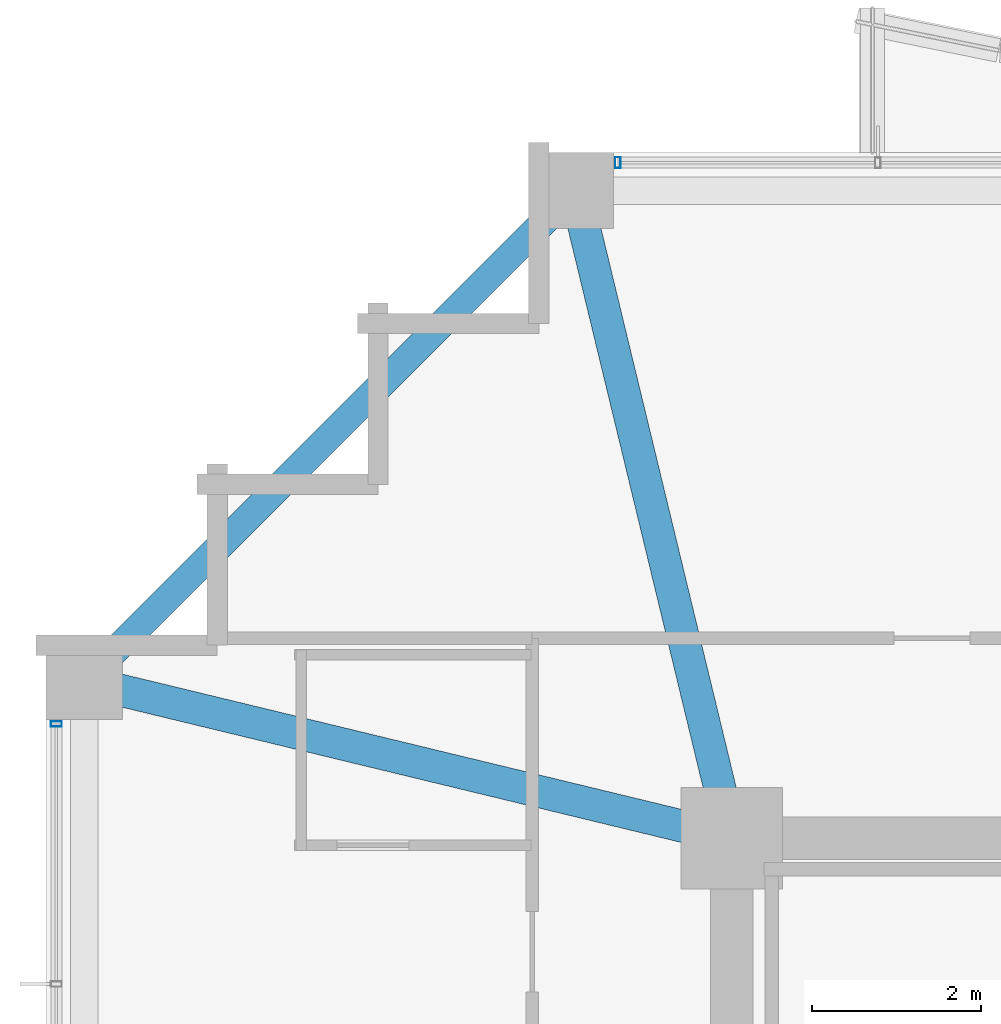
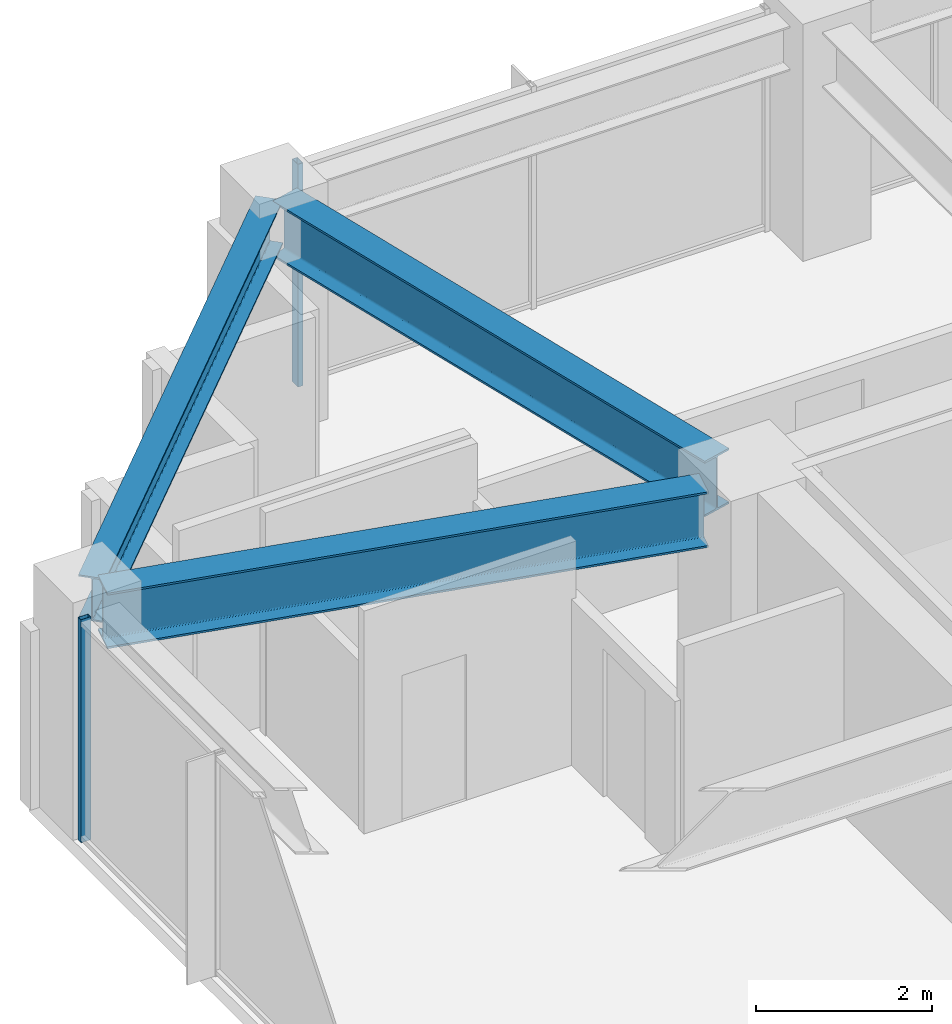
# One storey, part 16 of 31: 3 beams, 2 members, 2 elements without a shape of their own.
"""IFC4 building model written with IfcOpenShell, lengths in metres."""

from ifc_helpers import new_model, si_unit, direction, frame, origin, origin_2d, place, context, subcontext, project, spatial, hollow_rectangle, i_section, extrude, material, material_profile, profile_set, type_object, element, aggregate, save


model = new_model("IFC4")

# Units and contexts
model_context = context("Model", 3, precision=1e-05, world=origin(), true_north=direction((0.0, 1.0)))
body_context = subcontext(model_context, "Body", "Model", "MODEL_VIEW")
ifc_project = project(units=[si_unit("LENGTHUNIT", "METRE"), si_unit("AREAUNIT", "SQUARE_METRE"), si_unit("VOLUMEUNIT", "CUBIC_METRE"), si_unit("PLANEANGLEUNIT", "RADIAN"), si_unit("MASSUNIT", "GRAM", prefix="KILO")], contexts=[model_context])

# Site, building, storey
site_placement = place(None, origin())
site = spatial("IfcSite", under=ifc_project, at=site_placement, CompositionType="ELEMENT")
building_placement = place(site_placement, origin())
building = spatial("IfcBuilding", under=site, at=building_placement, Name="Kolvaren Belvedere", CompositionType="ELEMENT")
storey_placement = place(building_placement, frame((0.0, 0.0, 138.199951171875)))
storey = spatial("IfcBuildingStorey", under=building, at=storey_placement, Name="L40", CompositionType="ELEMENT", Elevation=138.199951171875)

# Beams
ifc_material_1 = material(Name="Structural steel ASTM A992 Grade 50", Category="steel")
ifc_material_profile_1 = material_profile(ifc_material_1, i_section(OverallWidth=0.381103515625, OverallDepth=0.77294921875, WebThickness=0.0166015625, FlangeThickness=0.027099609375, FilletRadius=0.02392578125, at=origin_2d()), Name="W30X173")
ifc_profile_set_1 = profile_set([ifc_material_profile_1], Name="Structural steel ASTM A992 Grade 50")
beam_type_1 = type_object("IfcBeamType", Name="BM-GIRD-W30X173", PredefinedType="BEAM", material=ifc_profile_set_1)
for number, where, z_axis, x_axis, name in (
    (1, (-10.029296875, 10.4345703125, 2.713623046875), (-0.235062749937, 0.971980197119, 0.0), (-0.971980197119, -0.235062749937, 0.0), "L40 Corner Core-to-Perimeter Girder CC4-N1"),
    (2, (-10.4345703125, 10.029296875, 2.713623046875), (-0.971980197119, 0.235062749937, 0.0), (-0.235062749937, -0.971980197119, 0.0), "L40 Corner Core-to-Perimeter Girder CC4-W4"),
):
    element("IfcBeam", number, at=place(storey_placement, frame(where, z_axis=z_axis, x_axis=x_axis)), inside=storey, type_object=beam_type_1, Name=name, PredefinedType="BEAM", context=body_context, shape_type="SweptSolid", body=[
        extrude(i_section(OverallWidth=0.381103515625, OverallDepth=0.77294921875, WebThickness=0.0166015625, FlangeThickness=0.027099609375, FilletRadius=0.02392578125, at=origin_2d()), origin(), (0.0, 0.0, 1.0), 7.140625),
    ])
ifc_material_2 = material(Name="Structural steel ASTM A992 Grade 50", Category="steel")
ifc_material_profile_2 = material_profile(ifc_material_2, i_section(OverallWidth=0.324951171875, OverallDepth=0.615966796875, WebThickness=0.013916015625, FlangeThickness=0.021484375, FilletRadius=0.02001953125, at=origin_2d()), Name="W24X117")
ifc_profile_set_2 = profile_set([ifc_material_profile_2], Name="Structural steel ASTM A992 Grade 50")
beam_type_2 = type_object("IfcBeamType", Name="BM-SPAN-W24X117", PredefinedType="SPANDREL", material=ifc_profile_set_2)
beam_placement = place(storey_placement, frame((-11.893310546875, 17.40673828125, 2.7919921875), z_axis=(-0.707106781187, -0.707106781187, 0.0), x_axis=(0.707106781187, -0.707106781187, 0.0)))
element("IfcBeam", 3, at=beam_placement, inside=storey, type_object=beam_type_2, Name="L40 Perimeter Spandrel N1-W4", PredefinedType="SPANDREL", context=body_context, shape_type="SweptSolid", body=[
    extrude(i_section(OverallWidth=0.324951171875, OverallDepth=0.615966796875, WebThickness=0.013916015625, FlangeThickness=0.021484375, FilletRadius=0.02001953125, at=origin_2d()), origin(), (0.0, 0.0, 1.0), 7.797119140625),
])

# Curtain wall, member
ifc_material_3 = material(Name="Anodised pale-metal aluminium AA 6063-T6", Category="aluminium")
curtain_wall_type = type_object("IfcCurtainWallType", Name="CW-Z3-WAIST", PredefinedType="NOTDEFINED", material=ifc_material_3)
curtain_wall_1_placement = place(storey_placement, origin())
curtain_wall_1 = element("IfcCurtainWall", 4, at=curtain_wall_1_placement, inside=storey, type_object=curtain_wall_type, Name="L40 Unitised Curtain Wall FCW-L40-N1-B1", PredefinedType="NOTDEFINED")
ifc_material_4 = material(Name="Anodised pale-metal aluminium AA 6063-T6", Category="aluminium")
ifc_material_profile_3 = material_profile(ifc_material_4, hollow_rectangle(XDim=0.06494140625, YDim=0.1298828125, WallThickness=0.00390625, at=origin_2d()), Name="ALU-MUL-130X65")
ifc_profile_set_3 = profile_set([ifc_material_profile_3], Name="Anodised pale-metal aluminium AA 6063-T6")
member_type = type_object("IfcMemberType", Name="CW-MUL-130", PredefinedType="MULLION", material=ifc_profile_set_3)
member_1_placement = place(storey_placement, frame((-11.24755859375, 17.8798828125, 0.0), z_axis=(0.0, 0.0, 1.0), x_axis=(1.0, 0.0, 0.0)))
member_1 = element("IfcMember", 5, at=member_1_placement, type_object=member_type, Name="FCW-L40-N1-B1 Unitised Mullion 1", PredefinedType="MULLION", context=body_context, shape_type="SweptSolid", body=[
    extrude(hollow_rectangle(XDim=0.06494140625, YDim=0.1298828125, WallThickness=0.00390625, at=origin_2d()), origin(), (0.0, 0.0, 1.0), 3.10009765625),
])
aggregate(curtain_wall_1, [member_1])

curtain_wall_2_placement = place(storey_placement, origin())
curtain_wall_2 = element("IfcCurtainWall", 6, at=curtain_wall_2_placement, inside=storey, type_object=curtain_wall_type, Name="L40 Unitised Curtain Wall FCW-L40-W-B3", PredefinedType="NOTDEFINED")
member_2_placement = place(storey_placement, frame((-17.8798828125, 11.24755859375, 0.0), z_axis=(0.0, 0.0, 1.0), x_axis=(0.0, 1.0, 0.0)))
member_2 = element("IfcMember", 7, at=member_2_placement, type_object=member_type, Name="FCW-L40-W-B3 Unitised Mullion 3", PredefinedType="MULLION", context=body_context, shape_type="SweptSolid", body=[
    extrude(hollow_rectangle(XDim=0.06494140625, YDim=0.1298828125, WallThickness=0.00390625, at=origin_2d()), origin(), (0.0, 0.0, 1.0), 3.10009765625),
])
aggregate(curtain_wall_2, [member_2])

save(model, "model.ifc")
